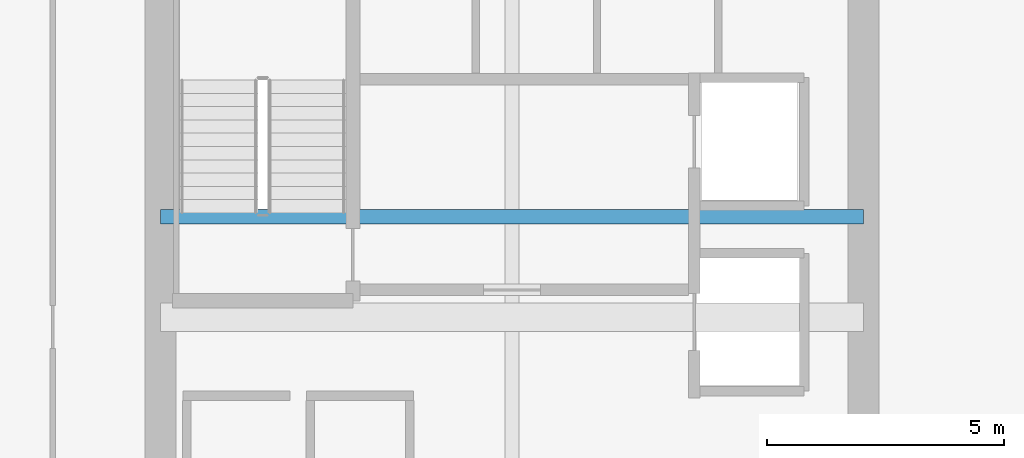
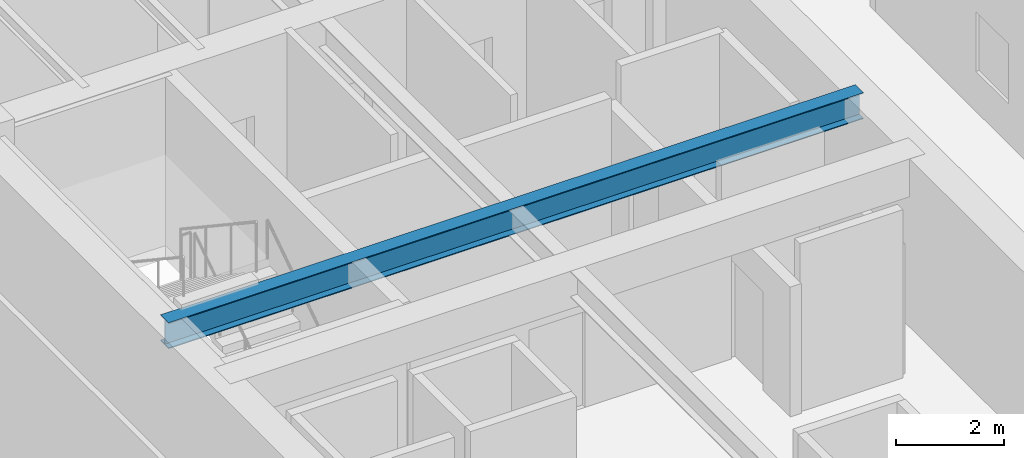
# One storey, part 9 of 30: 1 beam.
"""IFC4 building model written with IfcOpenShell, lengths in metres."""

import ifcopenshell
import ifcopenshell.guid

model = None  # the IFC model being written
_history = None  # IfcOwnerHistory: only IFC2X3 demands one
_inside = {}  # id of a spatial element -> (the spatial element, [elements in it])
_under = {}  # id of a project, library or spatial element -> (it, [spatial elements below it])
_declared = {}  # id of a project -> (the project, [libraries it declares])
_typed = {}  # id of a type object -> (the type object, [elements of that type])
_made_of = {}  # id of a material, layer set ... -> (it, [elements and type objects made of it])


def new_model(schema):
    """Start an empty IFC model of exactly this schema.

    Asked for "IFC4X3", IfcOpenShell would pick the latest addendum, in which some entities
    have other attributes; the version numbers below select the first issue.
    IFC2X3 requires an IfcOwnerHistory on every rooted entity: one is made here for all.
    """
    global model, _history
    if schema == "IFC4X3":
        model = ifcopenshell.file(schema_version=(4, 3, 0, 0))
    else:
        model = ifcopenshell.file(schema=schema)
    _inside.clear()
    _under.clear()
    _declared.clear()
    _typed.clear()
    _made_of.clear()
    _history = None
    if model.schema == "IFC2X3":
        org = make("IfcOrganization", Name="unknown")
        user = make(
            "IfcPersonAndOrganization",
            ThePerson=make("IfcPerson", FamilyName="unknown"),
            TheOrganization=org,
        )
        app = make(
            "IfcApplication",
            ApplicationDeveloper=org,
            Version="unknown",
            ApplicationFullName="unknown",
            ApplicationIdentifier="unknown",
        )
        _history = make(
            "IfcOwnerHistory",
            OwningUser=user,
            OwningApplication=app,
            ChangeAction="ADDED",
            CreationDate=0,
        )
    return model


def make(cls, **values):
    """One entity of the class cls with the attributes given. An attribute that is None is left unset."""
    return model.create_entity(
        cls, **{name: value for name, value in values.items() if value is not None}
    )


def rooted(cls, **values):
    """An entity with a GlobalId (a new one), such as an element, a storey or a relation."""
    return make(cls, GlobalId=ifcopenshell.guid.new(), OwnerHistory=_history, **values)


def si_unit(unit_type, name, prefix=None):
    """IfcSIUnit, for example si_unit("LENGTHUNIT", "METRE", prefix="MILLI")."""
    return make("IfcSIUnit", UnitType=unit_type, Prefix=prefix, Name=name)


def assignment(units):
    """IfcUnitAssignment: the units of a project."""
    return None if units is None else make("IfcUnitAssignment", Units=units)


def point(xyz):
    """IfcCartesianPoint."""
    return None if xyz is None else make("IfcCartesianPoint", Coordinates=xyz)


def direction(xyz):
    """IfcDirection."""
    return None if xyz is None else make("IfcDirection", DirectionRatios=xyz)


def frame(location, z_axis=None, x_axis=None):
    """IfcAxis2Placement3D, a coordinate frame: its origin and axes. An axis left out is left unset."""
    return make(
        "IfcAxis2Placement3D",
        Location=point(location),
        Axis=direction(z_axis),
        RefDirection=direction(x_axis),
    )


def frame_2d(location, x_axis=None):
    """IfcAxis2Placement2D, a coordinate frame in the plane: its origin and x axis."""
    return make(
        "IfcAxis2Placement2D", Location=point(location), RefDirection=direction(x_axis)
    )


def origin():
    """The frame at (0, 0, 0) with its axes left unset."""
    return frame((0.0, 0.0, 0.0))


def origin_2d():
    """The frame at (0, 0) in the plane with its x axis left unset."""
    return frame_2d((0.0, 0.0))


def place(relative_to, where):
    """IfcLocalPlacement: puts the frame where relative to a parent placement (None: the world)."""
    return make(
        "IfcLocalPlacement", PlacementRelTo=relative_to, RelativePlacement=where
    )


def context(
    kind, dimensions, precision=None, world=None, true_north=None, identifier=None
):
    """IfcGeometricRepresentationContext, for example the 3D "Model" context."""
    return make(
        "IfcGeometricRepresentationContext",
        ContextIdentifier=identifier,
        ContextType=kind,
        CoordinateSpaceDimension=dimensions,
        Precision=precision,
        WorldCoordinateSystem=world,
        TrueNorth=true_north,
    )


def subcontext(parent, identifier, kind, view, scale=None):
    """IfcGeometricRepresentationSubContext, for example "Body" below "Model"."""
    return make(
        "IfcGeometricRepresentationSubContext",
        ContextIdentifier=identifier,
        ContextType=kind,
        ParentContext=parent,
        TargetScale=scale,
        TargetView=view,
    )


def project(units=None, contexts=None):
    """IfcProject with its units and contexts."""
    return rooted(
        "IfcProject",
        Name="project",
        RepresentationContexts=contexts,
        UnitsInContext=assignment(units),
    )


def spatial(cls, under=None, at=None, **own):
    """A site, building, storey or space (cls), placed at a placement, below another one or the project."""
    s = rooted(cls, ObjectPlacement=at, **own)
    if under is not None:
        _under.setdefault(under.id(), (under, []))[1].append(s)
    return s


def profile(cls, at=None, kind="AREA", **sizes):
    """A parametric profile (cls). Its sizes go by their IFC names, for example OverallWidth=200.0."""
    return make(cls, ProfileType=kind, Position=at, **sizes)


def i_section(**sizes):
    """IfcIShapeProfileDef."""
    return profile("IfcIShapeProfileDef", **sizes)


def extrude(swept, where, along, depth):
    """IfcExtrudedAreaSolid: the profile swept, set in the frame where, extruded along a direction by depth."""
    return make(
        "IfcExtrudedAreaSolid",
        SweptArea=swept,
        Position=where,
        ExtrudedDirection=direction(along),
        Depth=depth,
    )


def shape(context_of_items, identifier, shape_type, items):
    """IfcShapeRepresentation: the items that make up one representation, for example the "Body"."""
    return make(
        "IfcShapeRepresentation",
        ContextOfItems=context_of_items,
        RepresentationIdentifier=identifier,
        RepresentationType=shape_type,
        Items=items,
    )


def source(mapping_origin, context_of_items, identifier, shape_type, items):
    """IfcRepresentationMap: a shape defined once, which mapped items show again and again."""
    return make(
        "IfcRepresentationMap",
        MappingOrigin=mapping_origin,
        MappedRepresentation=shape(context_of_items, identifier, shape_type, items),
    )


def transform(
    local_origin,
    x_axis=None,
    y_axis=None,
    z_axis=None,
    scale=None,
    scale2=None,
    scale3=None,
    uniform=True,
):
    """IfcCartesianTransformationOperator3D, or its non-uniform kind. x_axis, y_axis, z_axis: its Axis1, 2, 3."""
    if uniform:
        return make(
            "IfcCartesianTransformationOperator3D",
            Axis1=direction(x_axis),
            Axis2=direction(y_axis),
            LocalOrigin=point(local_origin),
            Scale=scale,
            Axis3=direction(z_axis),
        )
    return make(
        "IfcCartesianTransformationOperator3DnonUniform",
        Axis1=direction(x_axis),
        Axis2=direction(y_axis),
        LocalOrigin=point(local_origin),
        Scale=scale,
        Axis3=direction(z_axis),
        Scale2=scale2,
        Scale3=scale3,
    )


def mapped(mapping_source, mapping_target):
    """IfcMappedItem: shows the shape of a source again, moved by a transform."""
    return make(
        "IfcMappedItem", MappingSource=mapping_source, MappingTarget=mapping_target
    )


def material(Name=None, Category=None):
    """IfcMaterial."""
    return make("IfcMaterial", Name=Name, Category=Category)


def material_profile(
    of_material, cross_section, Name=None, Category=None, Priority=None
):
    """IfcMaterialProfile: a cross section and its material."""
    return make(
        "IfcMaterialProfile",
        Name=Name,
        Material=of_material,
        Profile=cross_section,
        Priority=Priority,
        Category=Category,
    )


def profile_set(profiles, Name=None, composite=None):
    """IfcMaterialProfileSet."""
    return make(
        "IfcMaterialProfileSet",
        Name=Name,
        MaterialProfiles=profiles,
        CompositeProfile=composite,
    )


def made_of(thing, what):
    """Note that an element or type object is made of a material, layer set ...; save() writes the relation."""
    if what is not None:
        _made_of.setdefault(what.id(), (what, []))[1].append(thing)
    return thing


def type_object(cls, material=None, **own):
    """A type object (cls), such as IfcWallType, which elements share."""
    return made_of(rooted(cls, **own), material)


def type_shapes(of_type, sources):
    """Give a type object the sources (RepresentationMaps) that its elements show as mapped items."""
    of_type.RepresentationMaps = sources


def element(
    cls,
    number,
    at=None,
    inside=None,
    cuts=None,
    type_object=None,
    material=None,
    context=None,
    identifier="Body",
    shape_type=None,
    held_by="IfcProductDefinitionShape",
    body=None,
    shapes=None,
    **own,
):
    """One element of the class cls, such as IfcWall. Its Tag is "e" and its number.

    at: its placement. inside: the storey or other place that contains it. cuts: it is an
    opening in that element (IfcRelVoidsElement). A single representation is given by context,
    identifier, shape_type and body (its items); several are given by shapes. held_by: the class
    of the entity that holds the representations. save() writes the other relations.
    """
    e = rooted(cls, Tag="e%d" % number, ObjectPlacement=at, **own)
    if body is not None:
        shapes = [shape(context, identifier, shape_type, body)]
    if shapes is not None:
        e.Representation = make(held_by, Representations=shapes)
    if inside is not None:
        _inside.setdefault(inside.id(), (inside, []))[1].append(e)
    if cuts is not None:
        rooted(
            "IfcRelVoidsElement", RelatingBuildingElement=cuts, RelatedOpeningElement=e
        )
    if type_object is not None:
        _typed.setdefault(type_object.id(), (type_object, []))[1].append(e)
    return made_of(e, material)


def aggregate(whole, parts):
    """IfcRelAggregates: a whole, such as a stair, and the parts it consists of."""
    return rooted("IfcRelAggregates", RelatingObject=whole, RelatedObjects=parts)


def save(model, path):
    """Write the relations noted so far, then the file.

    IfcRelAggregates (storeys below a building ...), IfcRelContainedInSpatialStructure (elements
    in a storey), IfcRelDefinesByType, IfcRelAssociatesMaterial and IfcRelDeclares: one each for
    every whole, place, type object, material and project.
    """
    for whole, parts in _under.values():
        aggregate(whole, parts)
    for where, things in _inside.values():
        rooted(
            "IfcRelContainedInSpatialStructure",
            RelatedElements=things,
            RelatingStructure=where,
        )
    for kind, things in _typed.values():
        rooted("IfcRelDefinesByType", RelatedObjects=things, RelatingType=kind)
    for what, things in _made_of.values():
        rooted("IfcRelAssociatesMaterial", RelatedObjects=things, RelatingMaterial=what)
    for by, libraries in _declared.values():
        rooted("IfcRelDeclares", RelatingContext=by, RelatedDefinitions=libraries)
    model.write(path)


model = new_model("IFC4")

# Units and contexts
model_context = context("Model", 3, precision=1e-05, world=origin(), true_north=direction((0.0, 1.0)))
body_context = subcontext(model_context, "Body", "Model", "MODEL_VIEW")
ifc_project = project(units=[si_unit("LENGTHUNIT", "METRE"), si_unit("AREAUNIT", "SQUARE_METRE"), si_unit("VOLUMEUNIT", "CUBIC_METRE"), si_unit("PLANEANGLEUNIT", "RADIAN"), si_unit("MASSUNIT", "GRAM", prefix="KILO")], contexts=[model_context])

# Site, building, storey
site_placement = place(None, origin())
site = spatial("IfcSite", under=ifc_project, at=site_placement, CompositionType="ELEMENT")
building_placement = place(site_placement, origin())
building = spatial("IfcBuilding", under=site, at=building_placement, Name="Haelvirn Gate Laboratories", CompositionType="ELEMENT")
storey_placement = place(building_placement, frame((0.0, 0.0, 187.10009765625)))
storey = spatial("IfcBuildingStorey", under=building, at=storey_placement, Name="L45", CompositionType="ELEMENT", Elevation=187.10009765625)

# Beam
ifc_material = material(Name="Steel SM355", Category="steel")
ifc_material_profile = material_profile(ifc_material, i_section(OverallWidth=0.300048828125, OverallDepth=0.587890625, WebThickness=0.011962890625, FlangeThickness=0.02001953125, at=origin_2d()), Name="H-588x300x12x20")
ifc_profile_set = profile_set([ifc_material_profile], Name="Steel SM355")
beam_type = type_object("IfcBeamType", Name="BM-G-588", PredefinedType="BEAM", material=ifc_profile_set)
shared_shape = source(origin(), body_context, "Body", "SweptSolid", [
    extrude(i_section(OverallWidth=0.300048828125, OverallDepth=0.587890625, WebThickness=0.011962890625, FlangeThickness=0.02001953125, at=origin_2d()), origin(), (0.0, 0.0, 1.0), 14.800048828125),
])
type_shapes(beam_type, [shared_shape])
beam_placement = place(storey_placement, frame((7.39990234375, 26.6201171875, 3.495849609375), z_axis=(1.0, 0.0, 0.0), x_axis=(0.0, 1.0, 0.0)))
element("IfcBeam", 1, at=beam_placement, inside=storey, type_object=beam_type, Name="L45 Stair ST1 Landing Header", PredefinedType="BEAM", context=body_context, shape_type="MappedRepresentation", body=[
    mapped(shared_shape, transform((0.0, 0.0, 0.0), scale=1.0)),
])

save(model, "model.ifc")
